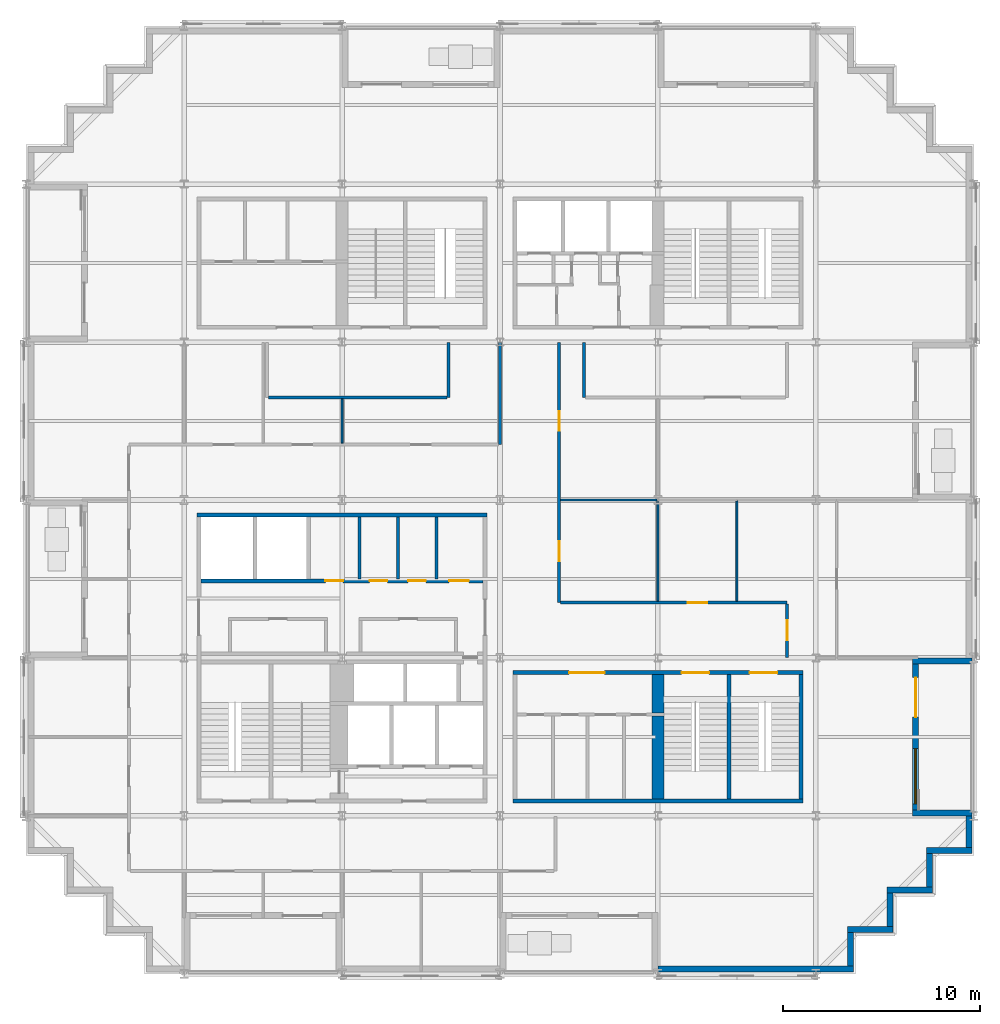
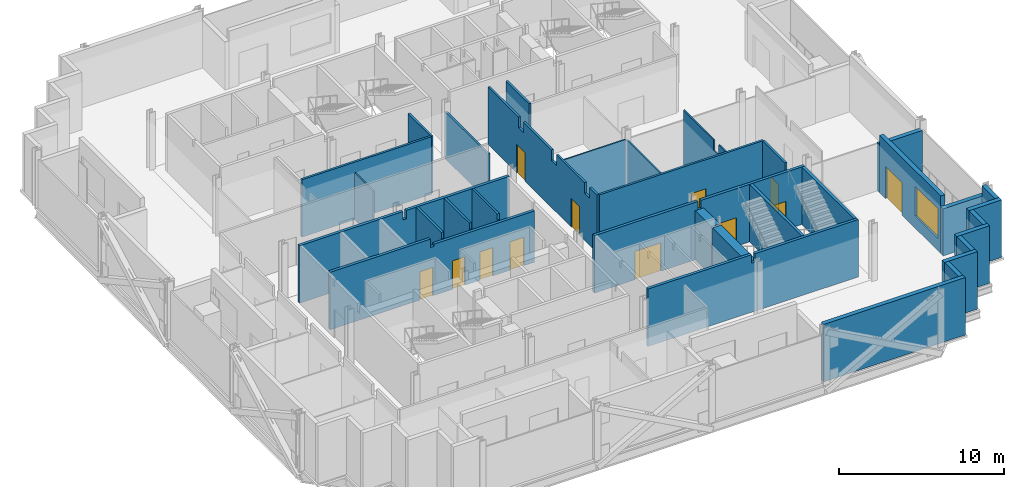
# One storey, part 8 of 15: 33 walls, 12 doors, 1 window, 13 openings.
"""IFC4 building model written with IfcOpenShell, lengths in metres."""

from ifc_helpers import new_model, si_unit, direction, frame, frame_2d, origin, place, context, subcontext, project, spatial, polyline, rectangle, outline, extrude, material, layer, layer_set, type_object, element, fill, save


model = new_model("IFC4")

# Units and contexts
model_context = context("Model", 3, precision=1e-05, world=origin(), true_north=direction((0.0, 1.0)))
body_context = subcontext(model_context, "Body", "Model", "MODEL_VIEW")
ifc_project = project(units=[si_unit("LENGTHUNIT", "METRE"), si_unit("AREAUNIT", "SQUARE_METRE"), si_unit("VOLUMEUNIT", "CUBIC_METRE"), si_unit("PLANEANGLEUNIT", "RADIAN"), si_unit("MASSUNIT", "GRAM", prefix="KILO")], contexts=[model_context])

# Site, building, storey
site_placement = place(None, origin())
site = spatial("IfcSite", under=ifc_project, at=site_placement, CompositionType="ELEMENT")
building_placement = place(site_placement, origin())
building = spatial("IfcBuilding", under=site, at=building_placement, Name="Immortelle Media Tower", CompositionType="ELEMENT")
storey_placement = place(building_placement, frame((0.0, 0.0, 83.199951171875)))
storey = spatial("IfcBuildingStorey", under=building, at=storey_placement, Name="L15", CompositionType="ELEMENT", Elevation=83.199951171875)

# Walls
ifc_material_1 = material(Name="Fire-rated gypsum board", Category="gypsum")
ifc_layer_1 = layer(ifc_material_1, 0.02490234375)
ifc_material_2 = material(Name="Steel ASTM A653 SS Gr 50 stud frame with mineral wool", Category="steel")
ifc_layer_2 = layer(ifc_material_2, 0.10009765625)
ifc_layer_3 = layer(ifc_material_1, 0.02490234375)
ifc_layer_set_1 = layer_set([ifc_layer_1, ifc_layer_2, ifc_layer_3], Name="Steel ASTM A653 SS Gr 50 stud frame with mineral wool")
wall_type_1 = type_object("IfcWallType", Name="Core partition 150", PredefinedType="PARTITIONING", material=ifc_layer_set_1)
for number, where, z_axis, x_axis, name in (
    (1, (16.875, 20.0, 0.0), (0.0, 0.0, 1.0), (0.0, 1.0, 0.0), "Core partition SW"),
    (2, (18.824951171875, 20.0, 0.0), (0.0, 0.0, 1.0), (0.0, 1.0, 0.0), "Core partition SW"),
    (3, (20.77490234375, 20.0, 0.0), (0.0, 0.0, 1.0), (0.0, 1.0, 0.0), "Core partition SW"),
):
    element("IfcWall", number, at=place(storey_placement, frame(where, z_axis=z_axis, x_axis=x_axis)), inside=storey, type_object=wall_type_1, Name=name, PredefinedType="PARTITIONING", context=body_context, shape_type="SweptSolid", body=[
        extrude(outline(polyline([(0.0, 0.0), (3.14990234375, 0.0), (3.14990234375, 4.25), (0.08154296875, 4.25), (0.08056640625, 3.7890625), (0.0, 3.7890625), (0.0, 0.0)])), frame((0.0, 0.074951171875, 0.0), z_axis=(0.0, -1.0, 0.0), x_axis=(1.0, 0.0, 0.0)), (0.0, 0.0, 1.0), 0.14990234375),
    ])
ifc_layer_4 = layer(ifc_material_1, 0.03759765625)
ifc_layer_5 = layer(ifc_material_2, 0.125)
ifc_layer_6 = layer(ifc_material_1, 0.03759765625)
ifc_layer_set_2 = layer_set([ifc_layer_4, ifc_layer_5, ifc_layer_6], Name="Steel ASTM A653 SS Gr 50 stud frame with mineral wool")
wall_type_2 = type_object("IfcWallType", Name="Core shaft wall 200", PredefinedType="PARTITIONING", material=ifc_layer_set_2)
wall_1_placement = place(storey_placement, frame((8.64990234375, 23.25, 0.0), z_axis=(0.0, 0.0, 1.0), x_axis=(1.0, 0.0, 0.0)))
element("IfcWall", 4, at=wall_1_placement, inside=storey, type_object=wall_type_2, Name="Core shaft wall SW", PredefinedType="PARTITIONING", context=body_context, shape_type="SweptSolid", body=[
    extrude(outline(polyline([(0.0, 0.0), (14.7001953125, 0.0), (14.699951171875, 4.25), (7.469482421875, 4.25), (7.468505859375, 3.632080078125), (7.2314453125, 3.632080078125), (7.23046875, 4.25), (0.0, 4.25), (0.0, 0.0)])), frame((0.0, 0.10009765625, 0.0), z_axis=(0.0, -1.0, 0.0), x_axis=(1.0, 0.0, 0.0)), (0.0, 0.0, 1.0), 0.199951171875),
])

# Wall, openings, doors
wall_2_placement = place(storey_placement, frame((8.85009765625, 19.89990234375, 0.0), z_axis=(0.0, 0.0, 1.0), x_axis=(1.0, 0.0, 0.0)))
wall_2 = element("IfcWall", 5, at=wall_2_placement, inside=storey, type_object=wall_type_2, Name="Core shaft wall SW", PredefinedType="PARTITIONING", context=body_context, shape_type="SweptSolid", body=[
    extrude(outline(polyline([(0.0, 0.0), (14.2998046875, 0.0), (14.300048828125, 3.7890625), (7.26953125, 3.7890625), (7.2685546875, 3.632080078125), (7.031494140625, 3.632080078125), (7.030517578125, 4.25), (0.0, 4.25), (0.0, 0.0)])), frame((0.0, 0.10009765625, 0.0), z_axis=(0.0, -1.0, 0.0), x_axis=(1.0, 0.0, 0.0)), (0.0, 0.0, 1.0), 0.199951171875),
])
opening_1_placement = place(wall_2_placement, frame((6.300048828125, 0.0, 0.0)))
opening_1 = element("IfcOpeningElement", 6, at=opening_1_placement, cuts=wall_2, Name="Opening N4-K035", PredefinedType="OPENING", context=body_context, shape_type="SweptSolid", body=[
    extrude(rectangle(XDim=0.89990234375, YDim=2.10009765625, at=frame_2d((0.449951171875, 1.050048828125))), frame((0.0, 0.10986328125, 0.0), z_axis=(0.0, -1.0, 0.0), x_axis=(1.0, 0.0, 0.0)), (0.0, 0.0, 1.0), 0.219970703125),
])
opening_2_placement = place(wall_2_placement, frame((8.550048828125, 0.0, 0.0)))
opening_2 = element("IfcOpeningElement", 7, at=opening_2_placement, cuts=wall_2, Name="Opening N4-K036", PredefinedType="OPENING", context=body_context, shape_type="SweptSolid", body=[
    extrude(rectangle(XDim=0.89990234375, YDim=2.10009765625, at=frame_2d((0.449951171875, 1.050048828125))), frame((0.0, 0.10986328125, 0.0), z_axis=(0.0, -1.0, 0.0), x_axis=(1.0, 0.0, 0.0)), (0.0, 0.0, 1.0), 0.219970703125),
])
opening_3_placement = place(wall_2_placement, frame((10.5, 0.0, 0.0)))
opening_3 = element("IfcOpeningElement", 8, at=opening_3_placement, cuts=wall_2, Name="Opening N4-K038", PredefinedType="OPENING", context=body_context, shape_type="SweptSolid", body=[
    extrude(rectangle(XDim=0.89990234375, YDim=2.10009765625, at=frame_2d((0.449951171875, 1.050048828125))), frame((0.0, 0.10986328125, 0.0), z_axis=(0.0, -1.0, 0.0), x_axis=(1.0, 0.0, 0.0)), (0.0, 0.0, 1.0), 0.219970703125),
])
opening_4_placement = place(wall_2_placement, frame((12.574951171875, 0.0, 0.0)))
opening_4 = element("IfcOpeningElement", 9, at=opening_4_placement, cuts=wall_2, Name="Opening N4-K039", PredefinedType="OPENING", context=body_context, shape_type="SweptSolid", body=[
    extrude(rectangle(XDim=1.0, YDim=2.10009765625, at=frame_2d((0.5, 1.050048828125))), frame((0.0, 0.10986328125, 0.0), z_axis=(0.0, -1.0, 0.0), x_axis=(1.0, 0.0, 0.0)), (0.0, 0.0, 1.0), 0.219970703125),
])
ifc_material_3 = material(Name="Timber", Category="wood")
door_type_1 = type_object("IfcDoorType", Name="Accessible toilet door 1000 x 2100", OperationType="NOTDEFINED", PredefinedType="NOTDEFINED", material=ifc_material_3)
door_1_placement = place(opening_4_placement, origin())
door_1 = element("IfcDoor", 10, at=door_1_placement, inside=storey, type_object=door_type_1, Name="Accessible toilet N4-K039", OperationType="SINGLE_SWING_RIGHT", OverallHeight=2.10009765625, OverallWidth=1.0, PredefinedType="NOTDEFINED", context=body_context, shape_type="SweptSolid", body=[
    extrude(rectangle(XDim=1.0, YDim=2.10009765625, at=frame_2d((0.5, 1.050048828125))), frame((0.0, 0.02490234375, 0.0), z_axis=(0.0, -1.0, 0.0), x_axis=(1.0, 0.0, 0.0)), (0.0, 0.0, 1.0), 0.050048828125),
])
fill(opening_4, door_1)
door_type_2 = type_object("IfcDoorType", Name="Room door 900 x 2100", OperationType="NOTDEFINED", PredefinedType="NOTDEFINED", material=ifc_material_3)
door_2_placement = place(opening_1_placement, origin())
door_2 = element("IfcDoor", 11, at=door_2_placement, inside=storey, type_object=door_type_2, Name="Room N4-K035", OperationType="SINGLE_SWING_LEFT", OverallHeight=2.10009765625, OverallWidth=0.89990234375, PredefinedType="NOTDEFINED", context=body_context, shape_type="SweptSolid", body=[
    extrude(rectangle(XDim=0.89990234375, YDim=2.10009765625, at=frame_2d((0.449951171875, 1.050048828125))), frame((0.0, 0.02490234375, 0.0), z_axis=(0.0, -1.0, 0.0), x_axis=(1.0, 0.0, 0.0)), (0.0, 0.0, 1.0), 0.050048828125),
])
fill(opening_1, door_2)
door_type_3 = type_object("IfcDoorType", Name="Toilet door 900 x 2100", OperationType="NOTDEFINED", PredefinedType="NOTDEFINED", material=ifc_material_3)
door_3_placement = place(opening_2_placement, origin())
door_3 = element("IfcDoor", 12, at=door_3_placement, inside=storey, type_object=door_type_3, Name="Toilet N4-K036", OperationType="SINGLE_SWING_LEFT", OverallHeight=2.10009765625, OverallWidth=0.89990234375, PredefinedType="NOTDEFINED", context=body_context, shape_type="SweptSolid", body=[
    extrude(rectangle(XDim=0.89990234375, YDim=2.10009765625, at=frame_2d((0.449951171875, 1.050048828125))), frame((0.0, 0.02490234375, 0.0), z_axis=(0.0, -1.0, 0.0), x_axis=(1.0, 0.0, 0.0)), (0.0, 0.0, 1.0), 0.050048828125),
])
fill(opening_2, door_3)
door_4_placement = place(opening_3_placement, origin())
door_4 = element("IfcDoor", 13, at=door_4_placement, inside=storey, type_object=door_type_3, Name="Toilet N4-K038", OperationType="SINGLE_SWING_LEFT", OverallHeight=2.10009765625, OverallWidth=0.89990234375, PredefinedType="NOTDEFINED", context=body_context, shape_type="SweptSolid", body=[
    extrude(rectangle(XDim=0.89990234375, YDim=2.10009765625, at=frame_2d((0.449951171875, 1.050048828125))), frame((0.0, 0.02490234375, 0.0), z_axis=(0.0, -1.0, 0.0), x_axis=(1.0, 0.0, 0.0)), (0.0, 0.0, 1.0), 0.050048828125),
])
fill(opening_3, door_4)

# Wall, opening, door
ifc_layer_7 = layer(ifc_material_1, 0.012451171875)
ifc_layer_8 = layer(ifc_material_2, 0.125)
ifc_layer_9 = layer(ifc_material_1, 0.012451171875)
ifc_layer_set_3 = layer_set([ifc_layer_7, ifc_layer_8, ifc_layer_9], Name="Steel ASTM A653 SS Gr 50 stud frame with mineral wool")
wall_type_3 = type_object("IfcWallType", Name="Corridor wall 150", PredefinedType="PARTITIONING", material=ifc_layer_set_3)
wall_3_placement = place(storey_placement, frame((38.550048828125, 16.030029296875, 0.0), z_axis=(0.0, 0.0, 1.0), x_axis=(0.0, 1.0, 0.0)))
wall_3 = element("IfcWall", 14, at=wall_3_placement, inside=storey, type_object=wall_type_3, Name="Partition L15-015", PredefinedType="PARTITIONING", context=body_context, shape_type="SweptSolid", body=[
    extrude(rectangle(XDim=2.695068359375, YDim=0.14990234375, at=frame_2d((1.34765625, 0.0))), origin(), (0.0, 0.0, 1.0), 4.25),
])
opening_5_placement = place(wall_3_placement, frame((1.8701171875, 0.0, 0.0), z_axis=(0.0, 0.0, 1.0), x_axis=(-1.0, 0.0, 0.0)))
opening_5 = element("IfcOpeningElement", 15, at=opening_5_placement, cuts=wall_3, Name="Opening N4-F012", PredefinedType="OPENING", context=body_context, shape_type="SweptSolid", body=[
    extrude(rectangle(XDim=1.0, YDim=2.10009765625, at=frame_2d((0.5, 1.050048828125))), frame((0.0, 0.0849609375, 0.0), z_axis=(0.0, -1.0, 0.0), x_axis=(1.0, 0.0, 0.0)), (0.0, 0.0, 1.0), 0.169921875),
])
ifc_material_4 = material(Name="Timber veneered door leaf, galvanised steel frame ASTM A653", Category="steel")
door_type_4 = type_object("IfcDoorType", Name="Room door 1000 x 2100", OperationType="NOTDEFINED", PredefinedType="DOOR", material=ifc_material_4)
door_5_placement = place(opening_5_placement, origin())
door_5 = element("IfcDoor", 16, at=door_5_placement, inside=storey, type_object=door_type_4, Name="Door N4-F012", OperationType="SINGLE_SWING_RIGHT", OverallHeight=2.10009765625, OverallWidth=1.0, PredefinedType="DOOR", context=body_context, shape_type="SweptSolid", body=[
    extrude(rectangle(XDim=1.0, YDim=2.10009765625, at=frame_2d((0.5, 1.050048828125))), frame((0.0, 0.02490234375, 0.0), z_axis=(0.0, -1.0, 0.0), x_axis=(1.0, 0.0, 0.0)), (0.0, 0.0, 1.0), 0.050048828125),
])
fill(opening_5, door_5)

wall_4_placement = place(storey_placement, frame((27.074951171875, 18.800048828125, 0.0), z_axis=(0.0, 0.0, 1.0), x_axis=(1.0, 0.0, 0.0)))
wall_4 = element("IfcWall", 17, at=wall_4_placement, inside=storey, type_object=wall_type_3, Name="Partition L15-016", PredefinedType="PARTITIONING", context=body_context, shape_type="SweptSolid", body=[
    extrude(rectangle(XDim=11.47509765625, YDim=0.14990234375, at=frame_2d((5.737548828125, 0.0))), origin(), (0.0, 0.0, 1.0), 4.25),
])
opening_6_placement = place(wall_4_placement, frame((6.425048828125, 0.0, 0.0)))
opening_6 = element("IfcOpeningElement", 18, at=opening_6_placement, cuts=wall_4, Name="Opening N4-F011", PredefinedType="OPENING", context=body_context, shape_type="SweptSolid", body=[
    extrude(rectangle(XDim=1.0, YDim=2.10009765625, at=frame_2d((0.5, 1.050048828125))), frame((0.0, 0.0849609375, 0.0), z_axis=(0.0, -1.0, 0.0), x_axis=(1.0, 0.0, 0.0)), (0.0, 0.0, 1.0), 0.169921875),
])
door_6_placement = place(opening_6_placement, origin())
door_6 = element("IfcDoor", 19, at=door_6_placement, inside=storey, type_object=door_type_4, Name="Door N4-F011", OperationType="SINGLE_SWING_LEFT", OverallHeight=2.10009765625, OverallWidth=1.0, PredefinedType="DOOR", context=body_context, shape_type="SweptSolid", body=[
    extrude(rectangle(XDim=1.0, YDim=2.10009765625, at=frame_2d((0.5, 1.050048828125))), frame((0.0, 0.02490234375, 0.0), z_axis=(0.0, -1.0, 0.0), x_axis=(1.0, 0.0, 0.0)), (0.0, 0.0, 1.0), 0.050048828125),
])
fill(opening_6, door_6)

# Wall, openings, doors
wall_5_placement = place(storey_placement, frame((27.0, 18.800048828125, 0.0), z_axis=(0.0, 0.0, 1.0), x_axis=(0.0, 1.0, 0.0)))
wall_5 = element("IfcWall", 20, at=wall_5_placement, inside=storey, type_object=wall_type_3, Name="Partition L15-017", PredefinedType="PARTITIONING", context=body_context, shape_type="SweptSolid", body=[
    extrude(outline(polyline([(0.0, 0.0), (13.169921875, 0.0), (13.169921875, 4.25), (9.5, 4.25), (9.498046875, 3.469970703125), (8.902099609375, 3.469970703125), (8.89990234375, 4.25), (5.5, 4.25), (5.498046875, 3.469970703125), (4.902099609375, 3.469970703125), (4.89990234375, 4.25), (1.5, 4.25), (1.498046875, 3.469970703125), (0.902099609375, 3.469970703125), (0.89990234375, 4.25), (0.0, 4.25), (0.0, 0.0)])), frame((0.0, 0.074951171875, 0.0), z_axis=(0.0, -1.0, 0.0), x_axis=(1.0, 0.0, 0.0)), (0.0, 0.0, 1.0), 0.14990234375),
])
opening_7_placement = place(wall_5_placement, frame((3.10009765625, 0.0, 0.0), z_axis=(0.0, 0.0, 1.0), x_axis=(-1.0, 0.0, 0.0)))
opening_7 = element("IfcOpeningElement", 21, at=opening_7_placement, cuts=wall_5, Name="Opening N4-F014", PredefinedType="OPENING", context=body_context, shape_type="SweptSolid", body=[
    extrude(rectangle(XDim=1.0, YDim=2.10009765625, at=frame_2d((0.5, 1.050048828125))), frame((0.0, 0.0849609375, 0.0), z_axis=(0.0, -1.0, 0.0), x_axis=(1.0, 0.0, 0.0)), (0.0, 0.0, 1.0), 0.169921875),
])
opening_8_placement = place(wall_5_placement, frame((9.699951171875, 0.0, 0.0), z_axis=(0.0, 0.0, 1.0), x_axis=(-1.0, 0.0, 0.0)))
opening_8 = element("IfcOpeningElement", 22, at=opening_8_placement, cuts=wall_5, Name="Opening N4-F015", PredefinedType="OPENING", context=body_context, shape_type="SweptSolid", body=[
    extrude(rectangle(XDim=1.0, YDim=2.10009765625, at=frame_2d((0.5, 1.050048828125))), frame((0.0, 0.0849609375, 0.0), z_axis=(0.0, -1.0, 0.0), x_axis=(1.0, 0.0, 0.0)), (0.0, 0.0, 1.0), 0.169921875),
])
door_7_placement = place(opening_7_placement, origin())
door_7 = element("IfcDoor", 23, at=door_7_placement, inside=storey, type_object=door_type_4, Name="Door N4-F014", OperationType="SINGLE_SWING_LEFT", OverallHeight=2.10009765625, OverallWidth=1.0, PredefinedType="DOOR", context=body_context, shape_type="SweptSolid", body=[
    extrude(rectangle(XDim=1.0, YDim=2.10009765625, at=frame_2d((0.5, 1.050048828125))), frame((0.0, 0.02490234375, 0.0), z_axis=(0.0, -1.0, 0.0), x_axis=(1.0, 0.0, 0.0)), (0.0, 0.0, 1.0), 0.050048828125),
])
fill(opening_7, door_7)
door_8_placement = place(opening_8_placement, origin())
door_8 = element("IfcDoor", 24, at=door_8_placement, inside=storey, type_object=door_type_4, Name="Door N4-F015", OperationType="SINGLE_SWING_RIGHT", OverallHeight=2.10009765625, OverallWidth=1.0, PredefinedType="DOOR", context=body_context, shape_type="SweptSolid", body=[
    extrude(rectangle(XDim=1.0, YDim=2.10009765625, at=frame_2d((0.5, 1.050048828125))), frame((0.0, 0.02490234375, 0.0), z_axis=(0.0, -1.0, 0.0), x_axis=(1.0, 0.0, 0.0)), (0.0, 0.0, 1.0), 0.050048828125),
])
fill(opening_8, door_8)

# Walls
wall_6_placement = place(storey_placement, frame((24.0, 26.800048828125, 0.0), z_axis=(0.0, 0.0, 1.0), x_axis=(0.0, 1.0, 0.0)))
element("IfcWall", 25, at=wall_6_placement, inside=storey, type_object=wall_type_3, Name="Partition L15-031", PredefinedType="PARTITIONING", context=body_context, shape_type="SweptSolid", body=[
    extrude(rectangle(XDim=5.169921875, YDim=0.14990234375, at=frame_2d((2.5849609375, 0.0))), origin(), (0.0, 0.0, 1.0), 3.469970703125),
])
wall_7_placement = place(storey_placement, frame((12.27490234375, 29.199951171875, 0.0), z_axis=(0.0, 0.0, 1.0), x_axis=(1.0, 0.0, 0.0)))
element("IfcWall", 26, at=wall_7_placement, inside=storey, type_object=wall_type_3, Name="Partition L15-032", PredefinedType="PARTITIONING", context=body_context, shape_type="SweptSolid", body=[
    extrude(rectangle(XDim=9.050048828125, YDim=0.14990234375, at=frame_2d((4.52490234375, 0.0))), origin(), (0.0, 0.0, 1.0), 4.25),
])
for number, where, z_axis, x_axis, name in (
    (27, (21.39990234375, 29.199951171875, 0.0), (0.0, 0.0, 1.0), (0.0, 1.0, 0.0), "Partition L15-034"),
    (28, (28.25, 29.199951171875, 0.0), (0.0, 0.0, 1.0), (0.0, 1.0, 0.0), "Partition L15-036"),
):
    element("IfcWall", number, at=place(storey_placement, frame(where, z_axis=z_axis, x_axis=x_axis)), inside=storey, type_object=wall_type_3, Name=name, PredefinedType="PARTITIONING", context=body_context, shape_type="SweptSolid", body=[
        extrude(rectangle(XDim=2.77001953125, YDim=0.14990234375, at=frame_2d((1.385009765625, 0.0))), origin(), (0.0, 0.0, 1.0), 4.25),
    ])
ifc_material_5 = material(Name="Pale aluminium cladding panel", Category="aluminium")
ifc_layer_10 = layer(ifc_material_5, 0.030029296875)
ifc_layer_11 = layer(ifc_material_2, 0.257568359375)
ifc_material_6 = material(Name="Moisture-resistant gypsum board", Category="gypsum")
ifc_layer_12 = layer(ifc_material_6, 0.012451171875)
ifc_layer_set_4 = layer_set([ifc_layer_10, ifc_layer_11, ifc_layer_12], Name="Steel ASTM A653 SS Gr 50 stud frame with mineral wool")
wall_type_4 = type_object("IfcWallType", Name="Facade wall 300", PredefinedType="SOLIDWALL", material=ifc_layer_set_4)
wall_8_placement = place(storey_placement, frame((32.0, 0.25, 0.0), z_axis=(0.0, 0.0, 1.0), x_axis=(1.0, 0.0, 0.0)))
element("IfcWall", 29, at=wall_8_placement, inside=storey, type_object=wall_type_4, Name="Facade wall L15 S7", PredefinedType="SOLIDWALL", context=body_context, shape_type="SweptSolid", body=[
    extrude(rectangle(XDim=9.89990234375, YDim=0.300048828125, at=frame_2d((4.949951171875, 0.0))), origin(), (0.0, 0.0, 1.0), 4.25),
])
wall_9_placement = place(storey_placement, frame((41.75, 0.39990234375, 0.0), z_axis=(0.0, 0.0, 1.0), x_axis=(0.0, 1.0, 0.0)))
element("IfcWall", 30, at=wall_9_placement, inside=storey, type_object=wall_type_4, Name="Facade wall L15 E8", PredefinedType="SOLIDWALL", context=body_context, shape_type="SweptSolid", body=[
    extrude(rectangle(XDim=1.7001953125, YDim=0.300048828125, at=frame_2d((0.85009765625, 0.0))), origin(), (0.0, 0.0, 1.0), 4.25),
])
wall_10_placement = place(storey_placement, frame((41.60009765625, 2.25, 0.0), z_axis=(0.0, 0.0, 1.0), x_axis=(1.0, 0.0, 0.0)))
element("IfcWall", 31, at=wall_10_placement, inside=storey, type_object=wall_type_4, Name="Facade wall L15 S9", PredefinedType="SOLIDWALL", context=body_context, shape_type="SweptSolid", body=[
    extrude(rectangle(XDim=2.2998046875, YDim=0.300048828125, at=frame_2d((1.14990234375, 0.0))), origin(), (0.0, 0.0, 1.0), 4.25),
])
wall_11_placement = place(storey_placement, frame((43.75, 2.39990234375, 0.0), z_axis=(0.0, 0.0, 1.0), x_axis=(0.0, 1.0, 0.0)))
element("IfcWall", 32, at=wall_11_placement, inside=storey, type_object=wall_type_4, Name="Facade wall L15 E10", PredefinedType="SOLIDWALL", context=body_context, shape_type="SweptSolid", body=[
    extrude(rectangle(XDim=1.7001953125, YDim=0.300048828125, at=frame_2d((0.85009765625, 0.0))), origin(), (0.0, 0.0, 1.0), 4.25),
])
wall_12_placement = place(storey_placement, frame((43.60009765625, 4.25, 0.0), z_axis=(0.0, 0.0, 1.0), x_axis=(1.0, 0.0, 0.0)))
element("IfcWall", 33, at=wall_12_placement, inside=storey, type_object=wall_type_4, Name="Facade wall L15 S11", PredefinedType="SOLIDWALL", context=body_context, shape_type="SweptSolid", body=[
    extrude(rectangle(XDim=2.2998046875, YDim=0.300048828125, at=frame_2d((1.14990234375, 0.0))), origin(), (0.0, 0.0, 1.0), 4.25),
])
wall_13_placement = place(storey_placement, frame((45.75, 4.39990234375, 0.0), z_axis=(0.0, 0.0, 1.0), x_axis=(0.0, 1.0, 0.0)))
element("IfcWall", 34, at=wall_13_placement, inside=storey, type_object=wall_type_4, Name="Facade wall L15 E12", PredefinedType="SOLIDWALL", context=body_context, shape_type="SweptSolid", body=[
    extrude(rectangle(XDim=1.7001953125, YDim=0.300048828125, at=frame_2d((0.85009765625, 0.0))), origin(), (0.0, 0.0, 1.0), 4.25),
])
wall_14_placement = place(storey_placement, frame((45.60009765625, 6.25, 0.0), z_axis=(0.0, 0.0, 1.0), x_axis=(1.0, 0.0, 0.0)))
element("IfcWall", 35, at=wall_14_placement, inside=storey, type_object=wall_type_4, Name="Facade wall L15 S13", PredefinedType="SOLIDWALL", context=body_context, shape_type="SweptSolid", body=[
    extrude(rectangle(XDim=2.2998046875, YDim=0.300048828125, at=frame_2d((1.14990234375, 0.0))), origin(), (0.0, 0.0, 1.0), 4.25),
])
wall_15_placement = place(storey_placement, frame((47.75, 6.39990234375, 0.0), z_axis=(0.0, 0.0, 1.0), x_axis=(0.0, 1.0, 0.0)))
element("IfcWall", 36, at=wall_15_placement, inside=storey, type_object=wall_type_4, Name="Facade wall L15 E14", PredefinedType="SOLIDWALL", context=body_context, shape_type="SweptSolid", body=[
    extrude(rectangle(XDim=1.60009765625, YDim=0.300048828125, at=frame_2d((0.800048828125, 0.0))), origin(), (0.0, 0.0, 1.0), 4.25),
])

# Wall, openings, door, window
wall_16_placement = place(storey_placement, frame((45.050048828125, 8.300048828125, 0.0), z_axis=(0.0, 0.0, 1.0), x_axis=(0.0, 1.0, 0.0)))
wall_16 = element("IfcWall", 37, at=wall_16_placement, inside=storey, type_object=wall_type_4, Name="Loggia wall L15 E14", PredefinedType="SOLIDWALL", context=body_context, shape_type="SweptSolid", body=[
    extrude(rectangle(XDim=7.39990234375, YDim=0.300048828125, at=frame_2d((3.699951171875, 0.0))), origin(), (0.0, 0.0, 1.0), 4.25),
])
opening_9_placement = place(wall_16_placement, frame((0.300048828125, 0.0, 0.89990234375)))
opening_9 = element("IfcOpeningElement", 38, at=opening_9_placement, cuts=wall_16, Name="Opening W1", PredefinedType="OPENING", context=body_context, shape_type="SweptSolid", body=[
    extrude(rectangle(XDim=2.800048828125, YDim=2.199951171875, at=frame_2d((1.39990234375, 1.10009765625))), frame((0.0, 0.159912109375, 0.0), z_axis=(0.0, -1.0, 0.0), x_axis=(1.0, 0.0, 0.0)), (0.0, 0.0, 1.0), 0.320068359375),
])
opening_10_placement = place(wall_16_placement, frame((4.699951171875, 0.0, 0.0)))
opening_10 = element("IfcOpeningElement", 39, at=opening_10_placement, cuts=wall_16, Name="Opening N4-E005", PredefinedType="OPENING", context=body_context, shape_type="SweptSolid", body=[
    extrude(rectangle(XDim=2.0, YDim=2.39990234375, at=frame_2d((1.0, 1.199951171875))), frame((0.0, 0.159912109375, 0.0), z_axis=(0.0, -1.0, 0.0), x_axis=(1.0, 0.0, 0.0)), (0.0, 0.0, 1.0), 0.320068359375),
])
ifc_material_7 = material(Name="Aluminium frame, glazed leaves", Category="aluminium")
door_type_5 = type_object("IfcDoorType", Name="Loggia door 2000 x 2400", OperationType="DOUBLE_DOOR_SINGLE_SWING", PredefinedType="DOOR", material=ifc_material_7)
door_9_placement = place(opening_10_placement, origin())
door_9 = element("IfcDoor", 40, at=door_9_placement, inside=storey, type_object=door_type_5, Name="Door N4-E005", OperationType="DOUBLE_DOOR_SINGLE_SWING", OverallHeight=2.39990234375, OverallWidth=2.0, PredefinedType="DOOR", context=body_context, shape_type="SweptSolid", body=[
    extrude(rectangle(XDim=2.0, YDim=2.39990234375, at=frame_2d((1.0, 1.199951171875))), frame((0.0, 0.02490234375, 0.0), z_axis=(0.0, -1.0, 0.0), x_axis=(1.0, 0.0, 0.0)), (0.0, 0.0, 1.0), 0.050048828125),
])
fill(opening_10, door_9)
ifc_material_8 = material(Name="Aluminium frame", Category="aluminium")
window_type = type_object("IfcWindowType", Name="Window 2800 x 2200", PartitioningType="SINGLE_PANEL", PredefinedType="WINDOW", material=ifc_material_8)
window_placement = place(opening_9_placement, origin())
window = element("IfcWindow", 41, at=window_placement, inside=storey, type_object=window_type, Name="Window L15 L15-R14-B0", OverallHeight=2.199951171875, OverallWidth=2.800048828125, PartitioningType="SINGLE_PANEL", PredefinedType="WINDOW", context=body_context, shape_type="SweptSolid", body=[
    extrude(rectangle(XDim=2.800048828125, YDim=2.199951171875, at=frame_2d((1.39990234375, 1.10009765625))), frame((0.0, 0.030029296875, 0.0), z_axis=(0.0, -1.0, 0.0), x_axis=(1.0, 0.0, 0.0)), (0.0, 0.0, 1.0), 0.06005859375),
])
fill(opening_9, window)

# Walls
wall_17_placement = place(storey_placement, frame((47.89990234375, 8.14990234375, 0.0), z_axis=(0.0, 0.0, 1.0), x_axis=(-1.0, 0.0, 0.0)))
element("IfcWall", 42, at=wall_17_placement, inside=storey, type_object=wall_type_4, Name="Loggia cheek wall L15 E", PredefinedType="SOLIDWALL", context=body_context, shape_type="SweptSolid", body=[
    extrude(rectangle(XDim=3.0, YDim=0.300048828125, at=frame_2d((1.5, 0.0))), origin(), (0.0, 0.0, 1.0), 3.468994140625),
])
wall_18_placement = place(storey_placement, frame((47.89990234375, 15.85009765625, 0.0), z_axis=(0.0, 0.0, 1.0), x_axis=(-1.0, 0.0, 0.0)))
element("IfcWall", 43, at=wall_18_placement, inside=storey, type_object=wall_type_4, Name="Loggia cheek wall L15 E", PredefinedType="SOLIDWALL", context=body_context, shape_type="SweptSolid", body=[
    extrude(rectangle(XDim=3.0, YDim=0.300048828125, at=frame_2d((1.5, 0.0))), origin(), (0.0, 0.0, 1.0), 3.55615234375),
])
ifc_material_9 = material(Name="Gypsum board", Category="gypsum")
ifc_layer_13 = layer(ifc_material_9, 0.012451171875)
ifc_layer_14 = layer(ifc_material_2, 0.074951171875)
ifc_layer_15 = layer(ifc_material_9, 0.012451171875)
ifc_layer_set_5 = layer_set([ifc_layer_13, ifc_layer_14, ifc_layer_15], Name="Steel ASTM A653 SS Gr 50 stud frame with mineral wool")
wall_type_5 = type_object("IfcWallType", Name="Partition 100", PredefinedType="PARTITIONING", material=ifc_layer_set_5)
wall_19_placement = place(storey_placement, frame((32.0, 18.875, 0.0), z_axis=(0.0, 0.0, 1.0), x_axis=(0.0, 1.0, 0.0)))
element("IfcWall", 44, at=wall_19_placement, inside=storey, type_object=wall_type_5, Name="Partition L15-018", PredefinedType="PARTITIONING", context=body_context, shape_type="SweptSolid", body=[
    extrude(rectangle(XDim=5.074951171875, YDim=0.10009765625, at=frame_2d((2.53759765625, 0.0))), origin(), (0.0, 0.0, 1.0), 3.469970703125),
])
wall_20_placement = place(storey_placement, frame((36.0, 18.875, 0.0), z_axis=(0.0, 0.0, 1.0), x_axis=(0.0, 1.0, 0.0)))
element("IfcWall", 45, at=wall_20_placement, inside=storey, type_object=wall_type_5, Name="Partition L15-019", PredefinedType="PARTITIONING", context=body_context, shape_type="SweptSolid", body=[
    extrude(outline(polyline([(0.0, 0.0), (5.074951171875, 0.0), (5.074951171875, 4.25), (1.425048828125, 4.25), (1.423095703125, 3.469970703125), (0.826904296875, 3.469970703125), (0.824951171875, 4.25), (0.0, 4.25), (0.0, 0.0)])), frame((0.0, 0.050048828125, 0.0), z_axis=(0.0, -1.0, 0.0), x_axis=(1.0, 0.0, 0.0)), (0.0, 0.0, 1.0), 0.10009765625),
])
wall_21_placement = place(storey_placement, frame((27.074951171875, 24.0, 0.0), z_axis=(0.0, 0.0, 1.0), x_axis=(1.0, 0.0, 0.0)))
element("IfcWall", 46, at=wall_21_placement, inside=storey, type_object=wall_type_5, Name="Partition L15-022", PredefinedType="PARTITIONING", context=body_context, shape_type="SweptSolid", body=[
    extrude(rectangle(XDim=4.875, YDim=0.10009765625, at=frame_2d((2.4375, 0.0))), origin(), (0.0, 0.0, 1.0), 3.469970703125),
])
wall_22_placement = place(storey_placement, frame((16.0, 26.875, 0.0), z_axis=(0.0, 0.0, 1.0), x_axis=(0.0, 1.0, 0.0)))
element("IfcWall", 47, at=wall_22_placement, inside=storey, type_object=wall_type_5, Name="Partition L15-030", PredefinedType="PARTITIONING", context=body_context, shape_type="SweptSolid", body=[
    extrude(rectangle(XDim=2.25, YDim=0.10009765625, at=frame_2d((1.125, 0.0))), origin(), (0.0, 0.0, 1.0), 3.469970703125),
])
ifc_material_10 = material(Name="Concrete C60", Category="concrete")
ifc_layer_16 = layer(ifc_material_10, 0.199951171875)
ifc_layer_set_6 = layer_set([ifc_layer_16], Name="Concrete C60")
wall_type_6 = type_object("IfcWallType", Name="Stair shaft wall 200", PredefinedType="PARTITIONING", material=ifc_layer_set_6)
wall_23_placement = place(storey_placement, frame((24.64990234375, 8.75, 0.0), z_axis=(0.0, 0.0, 1.0), x_axis=(1.0, 0.0, 0.0)))
element("IfcWall", 48, at=wall_23_placement, inside=storey, type_object=wall_type_6, Name="Stair shaft wall SE", PredefinedType="PARTITIONING", context=body_context, shape_type="SweptSolid", body=[
    extrude(outline(polyline([(0.0, 0.0), (14.7001953125, 0.0), (14.699951171875, 4.25), (7.469482421875, 4.25), (7.468505859375, 3.632080078125), (7.2314453125, 3.632080078125), (7.23046875, 4.25), (0.0, 4.25), (0.0, 0.0)])), frame((0.0, 0.10009765625, 0.0), z_axis=(0.0, -1.0, 0.0), x_axis=(1.0, 0.0, 0.0)), (0.0, 0.0, 1.0), 0.199951171875),
])

# Wall, openings, doors
wall_24_placement = place(storey_placement, frame((24.64990234375, 15.25, 0.0), z_axis=(0.0, 0.0, 1.0), x_axis=(1.0, 0.0, 0.0)))
wall_24 = element("IfcWall", 49, at=wall_24_placement, inside=storey, type_object=wall_type_6, Name="Stair shaft wall SE", PredefinedType="PARTITIONING", context=body_context, shape_type="SweptSolid", body=[
    extrude(outline(polyline([(0.0, 0.0), (14.7001953125, 0.0), (14.699951171875, 4.25), (7.469482421875, 4.25), (7.468505859375, 3.632080078125), (7.2314453125, 3.632080078125), (7.23046875, 4.25), (0.0, 4.25), (0.0, 0.0)])), frame((0.0, 0.10009765625, 0.0), z_axis=(0.0, -1.0, 0.0), x_axis=(1.0, 0.0, 0.0)), (0.0, 0.0, 1.0), 0.199951171875),
])
opening_11_placement = place(wall_24_placement, frame((2.85009765625, 0.0, 0.0)))
opening_11 = element("IfcOpeningElement", 50, at=opening_11_placement, cuts=wall_24, Name="Opening N4-K017", PredefinedType="OPENING", context=body_context, shape_type="SweptSolid", body=[
    extrude(rectangle(XDim=1.800048828125, YDim=2.10009765625, at=frame_2d((0.89990234375, 1.050048828125))), frame((0.0, 0.10986328125, 0.0), z_axis=(0.0, -1.0, 0.0), x_axis=(1.0, 0.0, 0.0)), (0.0, 0.0, 1.0), 0.219970703125),
])
opening_12_placement = place(wall_24_placement, frame((9.949951171875, 0.0, 0.0), z_axis=(0.0, 0.0, 1.0), x_axis=(-1.0, 0.0, 0.0)))
opening_12 = element("IfcOpeningElement", 51, at=opening_12_placement, cuts=wall_24, Name="Opening N4-K019", PredefinedType="OPENING", context=body_context, shape_type="SweptSolid", body=[
    extrude(rectangle(XDim=1.39990234375, YDim=2.10009765625, at=frame_2d((0.699951171875, 1.050048828125))), frame((0.0, 0.10986328125, 0.0), z_axis=(0.0, -1.0, 0.0), x_axis=(1.0, 0.0, 0.0)), (0.0, 0.0, 1.0), 0.219970703125),
])
opening_13_placement = place(wall_24_placement, frame((13.39990234375, 0.0, 0.0), z_axis=(0.0, 0.0, 1.0), x_axis=(-1.0, 0.0, 0.0)))
opening_13 = element("IfcOpeningElement", 52, at=opening_13_placement, cuts=wall_24, Name="Opening N4-K020", PredefinedType="OPENING", context=body_context, shape_type="SweptSolid", body=[
    extrude(rectangle(XDim=1.39990234375, YDim=2.10009765625, at=frame_2d((0.699951171875, 1.050048828125))), frame((0.0, 0.10986328125, 0.0), z_axis=(0.0, -1.0, 0.0), x_axis=(1.0, 0.0, 0.0)), (0.0, 0.0, 1.0), 0.219970703125),
])
ifc_material_11 = material(Name="Galvanised steel door leaf and frame ASTM A653", Category="steel")
door_type_6 = type_object("IfcDoorType", Name="Lift lobby door 1800 x 2100", OperationType="DOUBLE_DOOR_SINGLE_SWING", PredefinedType="NOTDEFINED", material=ifc_material_11)
door_10_placement = place(opening_11_placement, origin())
door_10 = element("IfcDoor", 53, at=door_10_placement, inside=storey, type_object=door_type_6, Name="Lift lobby N4-K017", OperationType="DOUBLE_DOOR_SINGLE_SWING", OverallHeight=2.10009765625, OverallWidth=1.800048828125, PredefinedType="NOTDEFINED", context=body_context, shape_type="SweptSolid", body=[
    extrude(rectangle(XDim=1.800048828125, YDim=2.10009765625, at=frame_2d((0.89990234375, 1.050048828125))), frame((0.0, 0.02490234375, 0.0), z_axis=(0.0, -1.0, 0.0), x_axis=(1.0, 0.0, 0.0)), (0.0, 0.0, 1.0), 0.050048828125),
])
fill(opening_11, door_10)
door_type_7 = type_object("IfcDoorType", Name="Stair door 1400 x 2100", OperationType="DOUBLE_DOOR_SINGLE_SWING", PredefinedType="NOTDEFINED", material=ifc_material_11)
door_11_placement = place(opening_12_placement, origin())
door_11 = element("IfcDoor", 54, at=door_11_placement, inside=storey, type_object=door_type_7, Name="Stair N4-K019", OperationType="DOUBLE_DOOR_SINGLE_SWING", OverallHeight=2.10009765625, OverallWidth=1.39990234375, PredefinedType="NOTDEFINED", context=body_context, shape_type="SweptSolid", body=[
    extrude(rectangle(XDim=1.39990234375, YDim=2.10009765625, at=frame_2d((0.699951171875, 1.050048828125))), frame((0.0, 0.02490234375, 0.0), z_axis=(0.0, -1.0, 0.0), x_axis=(1.0, 0.0, 0.0)), (0.0, 0.0, 1.0), 0.050048828125),
])
fill(opening_12, door_11)
door_12_placement = place(opening_13_placement, origin())
door_12 = element("IfcDoor", 55, at=door_12_placement, inside=storey, type_object=door_type_7, Name="Stair N4-K020", OperationType="DOUBLE_DOOR_SINGLE_SWING", OverallHeight=2.10009765625, OverallWidth=1.39990234375, PredefinedType="NOTDEFINED", context=body_context, shape_type="SweptSolid", body=[
    extrude(rectangle(XDim=1.39990234375, YDim=2.10009765625, at=frame_2d((0.699951171875, 1.050048828125))), frame((0.0, 0.02490234375, 0.0), z_axis=(0.0, -1.0, 0.0), x_axis=(1.0, 0.0, 0.0)), (0.0, 0.0, 1.0), 0.050048828125),
])
fill(opening_13, door_12)

# Walls
for number, where, z_axis, x_axis, name in (
    (56, (35.60009765625, 8.85009765625, 0.0), (0.0, 0.0, 1.0), (0.0, 1.0, 0.0), "Stair shaft wall SE"),
    (57, (39.25, 8.85009765625, 0.0), (0.0, 0.0, 1.0), (0.0, 1.0, 0.0), "Stair shaft wall SE"),
):
    element("IfcWall", number, at=place(storey_placement, frame(where, z_axis=z_axis, x_axis=x_axis)), inside=storey, type_object=wall_type_6, Name=name, PredefinedType="PARTITIONING", context=body_context, shape_type="SweptSolid", body=[
        extrude(rectangle(XDim=6.2998046875, YDim=0.199951171875, at=frame_2d((3.14990234375, 0.0))), origin(), (0.0, 0.0, 1.0), 4.25),
    ])
ifc_layer_17 = layer(ifc_material_10, 0.60009765625)
ifc_layer_set_7 = layer_set([ifc_layer_17], Name="Concrete C60")
wall_type_7 = type_object("IfcWallType", Name="Stair shaft wall 600", PredefinedType="PARTITIONING", material=ifc_layer_set_7)
wall_25_placement = place(storey_placement, frame((32.0, 8.85009765625, 0.0), z_axis=(0.0, 0.0, 1.0), x_axis=(0.0, 1.0, 0.0)))
element("IfcWall", 58, at=wall_25_placement, inside=storey, type_object=wall_type_7, Name="Stair shaft wall SE", PredefinedType="PARTITIONING", context=body_context, shape_type="SweptSolid", body=[
    extrude(rectangle(XDim=4.199951171875, YDim=0.60009765625, at=frame_2d((2.10009765625, 0.0))), origin(), (0.0, 0.0, 1.0), 3.632080078125),
])
wall_26_placement = place(storey_placement, frame((32.0, 13.199951171875, 0.0), z_axis=(0.0, 0.0, 1.0), x_axis=(0.0, 1.0, 0.0)))
element("IfcWall", 59, at=wall_26_placement, inside=storey, type_object=wall_type_7, Name="Stair shaft wall SE", PredefinedType="PARTITIONING", context=body_context, shape_type="SweptSolid", body=[
    extrude(rectangle(XDim=1.949951171875, YDim=0.60009765625, at=frame_2d((0.97509765625, 0.0))), origin(), (0.0, 0.0, 1.0), 3.632080078125),
])

save(model, "model.ifc")
